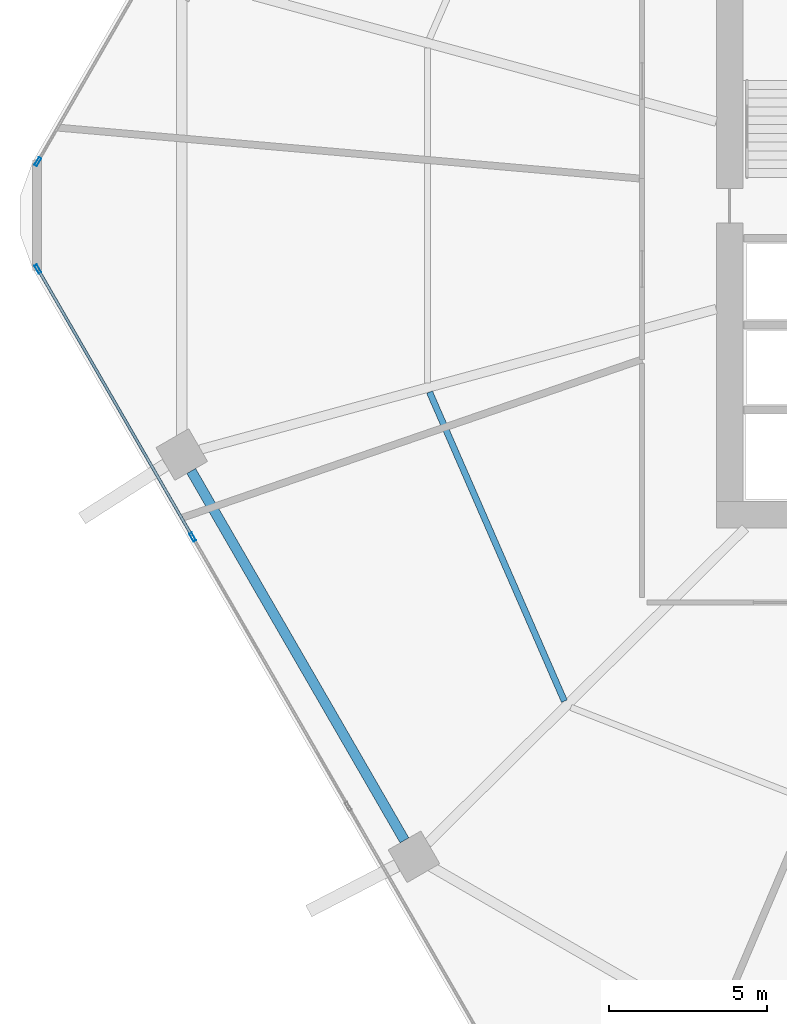
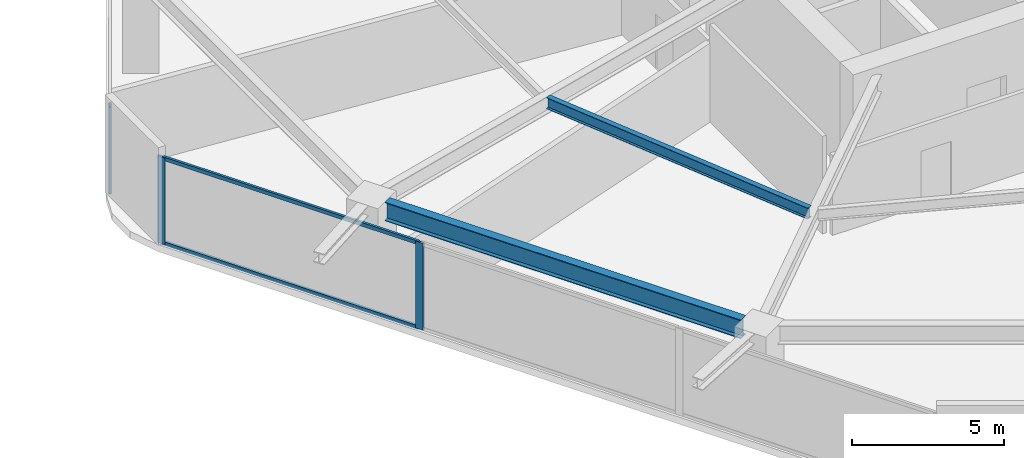
# One storey, part 5 of 25: 5 members, 2 beams, 2 elements without a shape of their own.
"""IFC4 building model written with IfcOpenShell, lengths in metres."""

from ifc_helpers import new_model, si_unit, direction, frame, origin, origin_2d, place, context, subcontext, project, spatial, hollow_rectangle, i_section, extrude, material, material_profile, profile_set, type_object, element, aggregate, save


model = new_model("IFC4")

# Units and contexts
model_context = context("Model", 3, precision=1e-05, world=origin(), true_north=direction((0.0, 1.0)))
body_context = subcontext(model_context, "Body", "Model", "MODEL_VIEW")
ifc_project = project(units=[si_unit("LENGTHUNIT", "METRE"), si_unit("AREAUNIT", "SQUARE_METRE"), si_unit("VOLUMEUNIT", "CUBIC_METRE"), si_unit("PLANEANGLEUNIT", "RADIAN"), si_unit("MASSUNIT", "GRAM", prefix="KILO")], contexts=[model_context])

# Site, building, storey
site_placement = place(None, origin())
site = spatial("IfcSite", under=ifc_project, at=site_placement, CompositionType="ELEMENT")
building_placement = place(site_placement, origin())
building = spatial("IfcBuilding", under=site, at=building_placement, Name="Zuhravey Tower", CompositionType="ELEMENT")
storey_placement = place(building_placement, frame((0.0, 0.0, 62.39990234375)))
storey = spatial("IfcBuildingStorey", under=building, at=storey_placement, Name="L15", CompositionType="ELEMENT", Elevation=62.39990234375)

# Curtain wall, members
ifc_material_1 = material(Name="Thermally broken anodised aluminium", Category="aluminium")
curtain_wall_type = type_object("IfcCurtainWallType", Name="School Low-E Unitised Curtain Wall CW1", PredefinedType="NOTDEFINED", material=ifc_material_1)
curtain_wall_1_placement = place(storey_placement, origin())
curtain_wall_1 = element("IfcCurtainWall", 1, at=curtain_wall_1_placement, inside=storey, type_object=curtain_wall_type, Name="L15 CW1 CW-L15-F4-1", PredefinedType="NOTDEFINED")
ifc_material_2 = material(Name="Anodised aluminium", Category="aluminium")
ifc_material_profile_1 = material_profile(ifc_material_2, hollow_rectangle(XDim=0.090087890625, YDim=0.284912109375, WallThickness=0.0048828125, at=origin_2d()), Name="ALU-RHS-90x285x5")
ifc_profile_set_1 = profile_set([ifc_material_profile_1], Name="Anodised aluminium")
member_type_1 = type_object("IfcMemberType", Name="Curtain-Wall Mullion 90x180", PredefinedType="MULLION", material=ifc_profile_set_1)
member_1_placement = place(storey_placement, frame((8.45458984375, 21.79296875, 0.0), z_axis=(0.0, 0.0, 1.0), x_axis=(-0.86602552265, -0.499999794119, 0.0)))
member_1 = element("IfcMember", 2, at=member_1_placement, type_object=member_type_1, Name="CW1 mullion 3", PredefinedType="MULLION", context=body_context, shape_type="SweptSolid", body=[
    extrude(hollow_rectangle(XDim=0.090087890625, YDim=0.284912109375, WallThickness=0.0048828125, at=origin_2d()), origin(), (0.0, 0.0, 1.0), 3.4921875),
])
member_2_placement = place(storey_placement, frame((3.5439453125, 30.298583984375, 0.0), z_axis=(0.0, 0.0, 1.0), x_axis=(-0.86602552265, -0.499999794119, 0.0)))
member_2 = element("IfcMember", 3, at=member_2_placement, type_object=member_type_1, Name="CW1 mullion 4", PredefinedType="MULLION", context=body_context, shape_type="SweptSolid", body=[
    extrude(hollow_rectangle(XDim=0.090087890625, YDim=0.284912109375, WallThickness=0.0048828125, at=origin_2d()), origin(), (0.0, 0.0, 1.0), 3.4921875),
])

# Curtain wall, member
curtain_wall_2_placement = place(storey_placement, origin())
curtain_wall_2 = element("IfcCurtainWall", 4, at=curtain_wall_2_placement, inside=storey, type_object=curtain_wall_type, Name="L15 CW1 CW-L15-F3-1", PredefinedType="NOTDEFINED")
member_3_placement = place(storey_placement, frame((3.5439453125, 33.701416015625, 0.0), z_axis=(0.0, 0.0, 1.0), x_axis=(-0.86602552265, 0.499999794119, 0.0)))
member_3 = element("IfcMember", 5, at=member_3_placement, type_object=member_type_1, Name="CW1 mullion 1", PredefinedType="MULLION", context=body_context, shape_type="SweptSolid", body=[
    extrude(hollow_rectangle(XDim=0.090087890625, YDim=0.284912109375, WallThickness=0.0048828125, at=origin_2d()), origin(), (0.0, 0.0, 1.0), 3.4921875),
])
aggregate(curtain_wall_2, [member_3])

# Member
ifc_material_profile_2 = material_profile(ifc_material_2, hollow_rectangle(XDim=0.090087890625, YDim=0.14990234375, WallThickness=0.0048828125, at=origin_2d()), Name="ALU-RHS-90x150x5")
ifc_profile_set_2 = profile_set([ifc_material_profile_2], Name="Anodised aluminium")
member_type_2 = type_object("IfcMemberType", Name="Curtain-Wall Transom 90x150", PredefinedType="USERDEFINED", material=ifc_profile_set_2)
member_4_placement = place(storey_placement, frame((8.43212890625, 21.83203125, 0.045166015625), z_axis=(-0.500008393077, 0.866020557985, 0.0), x_axis=(-0.866020557985, -0.500008393077, 0.0)))
member_4 = element("IfcMember", 6, at=member_4_placement, type_object=member_type_2, Name="CW1 transom 3.1", ObjectType="TRANSOM", PredefinedType="USERDEFINED", context=body_context, shape_type="SweptSolid", body=[
    extrude(hollow_rectangle(XDim=0.090087890625, YDim=0.14990234375, WallThickness=0.0048828125, at=origin_2d()), origin(), (0.0, 0.0, 1.0), 9.731201171875),
])

member_5_placement = place(storey_placement, frame((8.43212890625, 21.83203125, 3.447021484375), z_axis=(-0.500008393077, 0.866020557985, 0.0), x_axis=(-0.866020557985, -0.500008393077, 0.0)))
member_5 = element("IfcMember", 7, at=member_5_placement, type_object=member_type_2, Name="CW1 transom 3.2", ObjectType="TRANSOM", PredefinedType="USERDEFINED", context=body_context, shape_type="SweptSolid", body=[
    extrude(hollow_rectangle(XDim=0.090087890625, YDim=0.14990234375, WallThickness=0.0048828125, at=origin_2d()), origin(), (0.0, 0.0, 1.0), 9.731201171875),
])

aggregate(curtain_wall_1, [member_1, member_2, member_4, member_5])

# Beams
ifc_material_3 = material(Name="Steel SM355", Category="steel")
ifc_material_profile_3 = material_profile(ifc_material_3, i_section(OverallWidth=0.320068359375, OverallDepth=0.75, WebThickness=0.013916015625, FlangeThickness=0.02490234375, at=origin_2d()), Name="H-750x320x14x25")
ifc_profile_set_3 = profile_set([ifc_material_profile_3], Name="Steel SM355")
beam_type_1 = type_object("IfcBeamType", Name="Perimeter Ring Beam H750x320", PredefinedType="BEAM", material=ifc_profile_set_3)
beam_1_placement = place(storey_placement, frame((8.412353515625, 23.88623046875, 3.545166015625), z_axis=(0.499999877243, -0.866025474658, 0.0), x_axis=(0.866025474658, 0.499999877243, 0.0)))
element("IfcBeam", 8, at=beam_1_placement, inside=storey, type_object=beam_type_1, Name="L15 PB1 BM-L15-PB-07", PredefinedType="BEAM", context=body_context, shape_type="SweptSolid", body=[
    extrude(i_section(OverallWidth=0.320068359375, OverallDepth=0.75, WebThickness=0.013916015625, FlangeThickness=0.02490234375, at=origin_2d()), origin(), (0.0, 0.0, 1.0), 13.5341796875),
])
ifc_material_profile_4 = material_profile(ifc_material_3, i_section(OverallWidth=0.199951171875, OverallDepth=0.449951171875, WebThickness=0.009033203125, FlangeThickness=0.013916015625, at=origin_2d()), Name="H-450x200x9x14")
ifc_profile_set_4 = profile_set([ifc_material_profile_4], Name="Steel SM355")
beam_type_2 = type_object("IfcBeamType", Name="Secondary Floor Joist H450x200", PredefinedType="JOIST", material=ifc_profile_set_4)
beam_2_placement = place(storey_placement, frame((15.974609375, 26.39111328125, 3.695068359375), z_axis=(0.399923551578, -0.916548500022, 0.0), x_axis=(0.916548500022, 0.399923551578, 0.0)))
element("IfcBeam", 9, at=beam_2_placement, inside=storey, type_object=beam_type_2, Name="L15 SJ1 BM-L15-SJ-07-1", PredefinedType="JOIST", context=body_context, shape_type="SweptSolid", body=[
    extrude(i_section(OverallWidth=0.199951171875, OverallDepth=0.449951171875, WebThickness=0.009033203125, FlangeThickness=0.013916015625, at=origin_2d()), origin(), (0.0, 0.0, 1.0), 10.70263671875),
])

save(model, "model.ifc")
